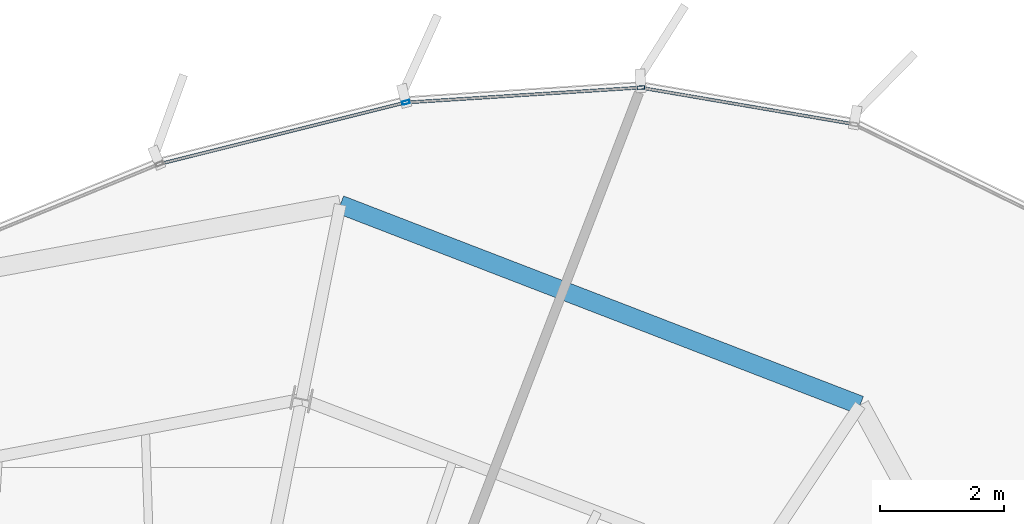
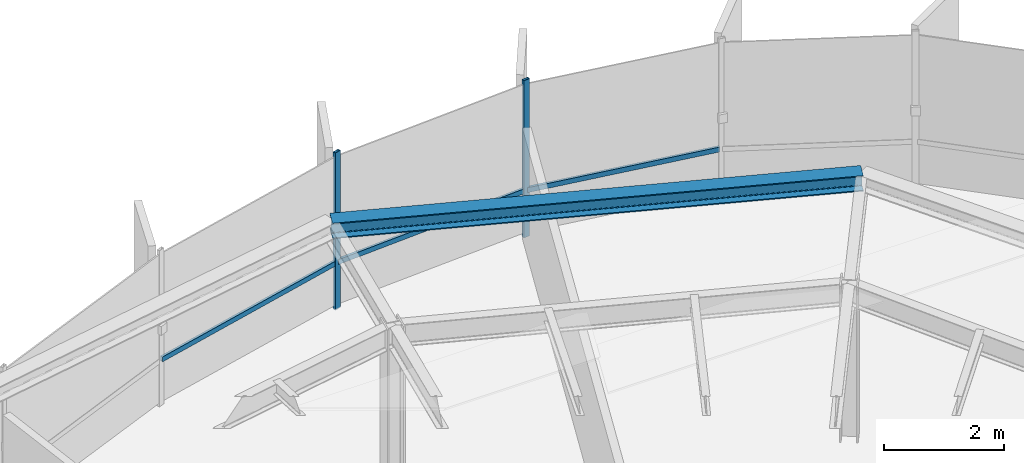
# One storey, part 23 of 33: 5 members, 1 beam, 1 element without a shape of its own.
"""IFC4 building model written with IfcOpenShell, lengths in metres."""

from ifc_helpers import new_model, si_unit, direction, frame, origin, origin_2d, place, context, subcontext, project, spatial, hollow_rectangle, i_section, extrude, source, transform, mapped, material, layer, layer_set, material_profile, profile_set, type_object, element, aggregate, save


model = new_model("IFC4")

# Units and contexts
model_context = context("Model", 3, precision=1e-05, world=origin(), true_north=direction((0.0, 1.0)))
body_context = subcontext(model_context, "Body", "Model", "MODEL_VIEW")
ifc_project = project(units=[si_unit("LENGTHUNIT", "METRE"), si_unit("AREAUNIT", "SQUARE_METRE"), si_unit("VOLUMEUNIT", "CUBIC_METRE"), si_unit("PLANEANGLEUNIT", "RADIAN"), si_unit("MASSUNIT", "GRAM", prefix="KILO"), si_unit("THERMODYNAMICTEMPERATUREUNIT", "KELVIN")], contexts=[model_context])

# Site, building, storey
site_placement = place(None, origin())
site = spatial("IfcSite", under=ifc_project, at=site_placement, CompositionType="ELEMENT")
building_placement = place(site_placement, origin())
building = spatial("IfcBuilding", under=site, at=building_placement, Name="Kethvar Cultural Tower", CompositionType="ELEMENT")
storey_placement = place(building_placement, frame((0.0, 0.0, 256.0)))
storey = spatial("IfcBuildingStorey", under=building, at=storey_placement, Name="L67", CompositionType="ELEMENT", Elevation=256.0)

# Beam
ifc_material_1 = material(Name="Steel S355J2", Category="steel")
ifc_material_profile_1 = material_profile(ifc_material_1, i_section(OverallWidth=0.300048828125, OverallDepth=0.320068359375, WebThickness=0.011474609375, FlangeThickness=0.0205078125, FilletRadius=0.027099609375, at=origin_2d()), Name="Steel S355J2 — HEB320")
ifc_profile_set_1 = profile_set([ifc_material_profile_1], Name="Steel S355J2 — HEB320")
beam_type = type_object("IfcBeamType", Name="BM-SP320", PredefinedType="SPANDREL", material=ifc_profile_set_1)
shared_shape_1 = source(origin(), body_context, "Body", "SweptSolid", [
    extrude(i_section(OverallWidth=0.300048828125, OverallDepth=0.320068359375, WebThickness=0.011474609375, FlangeThickness=0.0205078125, FilletRadius=0.027099609375, at=origin_2d()), origin(), (0.0, 0.0, 1.0), 8.98583984375),
])
beam_placement = place(storey_placement, frame((59.653076171875, 47.035888671875, 3.048095703125), z_axis=(-0.932983803051, 0.359918356359, 0.0), x_axis=(-0.359918356359, -0.932983803051, 0.0)))
element("IfcBeam", 1, at=beam_placement, inside=storey, type_object=beam_type, Name="L67 Perimeter Spandrel Beam SP-03", PredefinedType="SPANDREL", context=body_context, shape_type="MappedRepresentation", body=[
    mapped(shared_shape_1, transform((0.0, 0.0, 0.0), scale=1.0)),
])

# Curtain wall, members
ifc_material_2 = material(Name="Aluminium 6063-T6", Category="aluminium")
ifc_layer = layer(ifc_material_2, 0.179931640625, Name="Aluminium 6063-T6", Category="aluminium")
ifc_layer_set = layer_set([ifc_layer], Name="Aluminium 6063-T6 (180 mm)")
curtain_wall_type = type_object("IfcCurtainWallType", Name="CW-SYS-05-Z56", PredefinedType="NOTDEFINED", material=ifc_layer_set)
curtain_wall_placement = place(storey_placement, origin())
curtain_wall = element("IfcCurtainWall", 2, at=curtain_wall_placement, inside=storey, type_object=curtain_wall_type, Name="L67 Curtain Wall Run 01", PredefinedType="NOTDEFINED")
ifc_material_profile_2 = material_profile(ifc_material_2, hollow_rectangle(XDim=0.054931640625, YDim=0.1201171875, WallThickness=0.00390625, at=origin_2d()), Name="Aluminium 6063-T6 — RHS120x55x4")
ifc_profile_set_2 = profile_set([ifc_material_profile_2], Name="Aluminium 6063-T6 — RHS120x55x4")
member_type_1 = type_object("IfcMemberType", Name="CW-SYS-05-Z56-MUL", PredefinedType="MULLION", material=ifc_profile_set_2)
shared_shape_2 = source(origin(), body_context, "Body", "SweptSolid", [
    extrude(hollow_rectangle(XDim=0.054931640625, YDim=0.1201171875, WallThickness=0.00390625, at=origin_2d()), origin(), (0.0, 0.0, 1.0), 3.2099609375),
])
member_1_placement = place(storey_placement, frame((56.11865234375, 52.15771484375, 0.0), z_axis=(0.0, 0.0, 1.0), x_axis=(0.063574348442, -0.997977105058, 0.0)))
member_1 = element("IfcMember", 3, at=member_1_placement, type_object=member_type_1, Name="CW-L67-R01 Mullion 3", PredefinedType="MULLION", context=body_context, shape_type="MappedRepresentation", body=[
    mapped(shared_shape_2, transform((0.0, 0.0, 0.0), scale=1.0)),
])
member_2_placement = place(storey_placement, frame((52.327880859375, 51.91796875, 0.0), z_axis=(0.0, 0.0, 1.0), x_axis=(0.24241297539, -0.97017315432, 0.0)))
member_2 = element("IfcMember", 4, at=member_2_placement, type_object=member_type_1, Name="CW-L67-R01 Mullion 4", PredefinedType="MULLION", context=body_context, shape_type="MappedRepresentation", body=[
    mapped(shared_shape_2, transform((0.0, 0.0, 0.0), scale=1.0)),
])
ifc_material_profile_3 = material_profile(ifc_material_2, hollow_rectangle(XDim=0.050048828125, YDim=0.10009765625, WallThickness=0.00390625, at=origin_2d()), Name="Aluminium 6063-T6 — RHS100x50x4")
ifc_profile_set_3 = profile_set([ifc_material_profile_3], Name="Aluminium 6063-T6 — RHS100x50x4")
member_type_2 = type_object("IfcMemberType", Name="CW-SYS-05-Z56-TRN", PredefinedType="USERDEFINED", material=ifc_profile_set_3)
shared_shape_3 = source(origin(), body_context, "Body", "SweptSolid", [
    extrude(hollow_rectangle(XDim=0.050048828125, YDim=0.10009765625, WallThickness=0.00390625, at=origin_2d()), origin(), (0.0, 0.0, 1.0), 4.0322265625),
])
member_3_placement = place(storey_placement, frame((52.289306640625, 51.908447265625, 0.949951171875), z_axis=(-0.970167426724, -0.242435896936, 0.0), x_axis=(0.242435896936, -0.970167426724, 0.0)))
member_3 = element("IfcMember", 5, at=member_3_placement, type_object=member_type_2, Name="CW-L67-R01 Transom 4", ObjectType="TRANSOM", PredefinedType="USERDEFINED", context=body_context, shape_type="MappedRepresentation", body=[
    mapped(shared_shape_3, transform((0.0, 0.0, 0.0), scale=1.0)),
])
shared_shape_4 = source(origin(), body_context, "Body", "SweptSolid", [
    extrude(hollow_rectangle(XDim=0.050048828125, YDim=0.10009765625, WallThickness=0.00390625, at=origin_2d()), origin(), (0.0, 0.0, 1.0), 3.432373046875),
])
member_4_placement = place(storey_placement, frame((59.517578125, 51.572998046875, 0.949951171875), z_axis=(-0.985651684719, 0.168792050793, 0.0), x_axis=(-0.168792050793, -0.985651684719, 0.0)))
member_4 = element("IfcMember", 6, at=member_4_placement, type_object=member_type_2, Name="CW-L67-R01 Transom 2", ObjectType="TRANSOM", PredefinedType="USERDEFINED", context=body_context, shape_type="MappedRepresentation", body=[
    mapped(shared_shape_4, transform((0.0, 0.0, 0.0), scale=1.0)),
])
shared_shape_5 = source(origin(), body_context, "Body", "SweptSolid", [
    extrude(hollow_rectangle(XDim=0.050048828125, YDim=0.10009765625, WallThickness=0.00390625, at=origin_2d()), origin(), (0.0, 0.0, 1.0), 3.737060546875),
])
member_5_placement = place(storey_placement, frame((56.0791015625, 52.1552734375, 0.949951171875), z_axis=(-0.997977645049, -0.063565871212, 0.0), x_axis=(0.063565871212, -0.997977645049, 0.0)))
member_5 = element("IfcMember", 7, at=member_5_placement, type_object=member_type_2, Name="CW-L67-R01 Transom 3", ObjectType="TRANSOM", PredefinedType="USERDEFINED", context=body_context, shape_type="MappedRepresentation", body=[
    mapped(shared_shape_5, transform((0.0, 0.0, 0.0), scale=1.0)),
])
aggregate(curtain_wall, [member_1, member_2, member_4, member_5, member_3])

save(model, "model.ifc")
